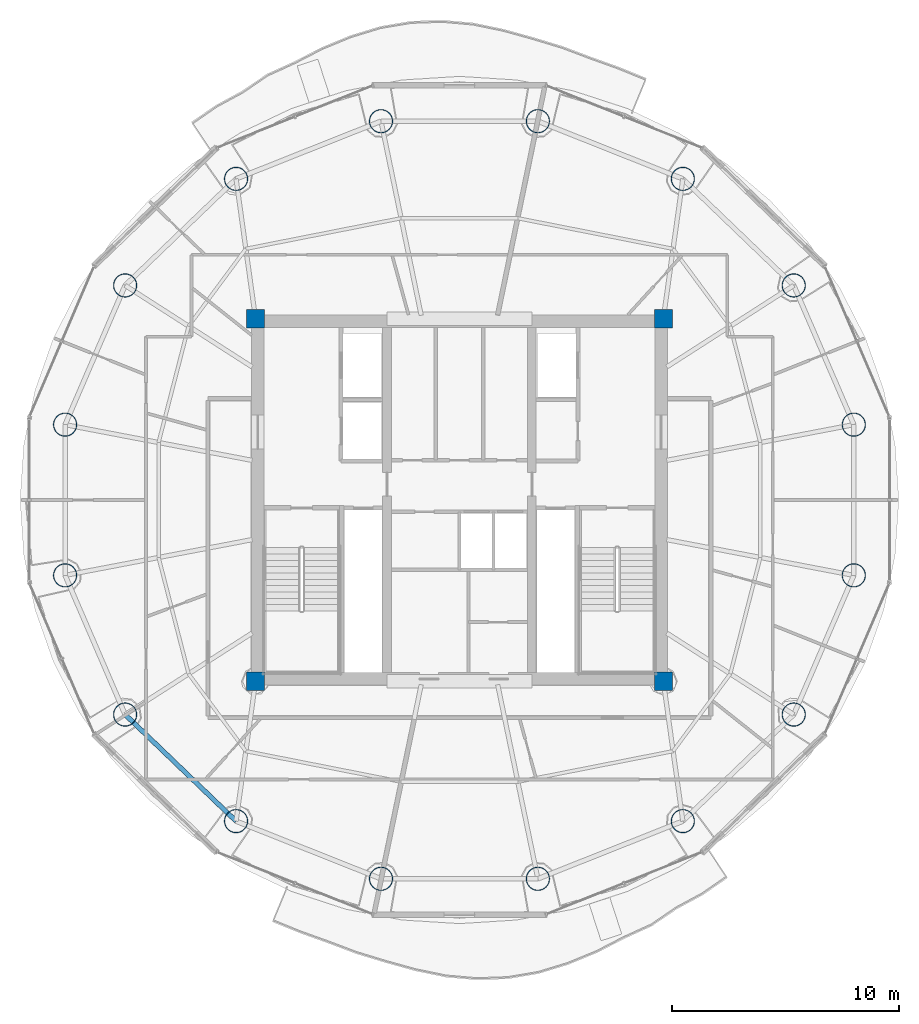
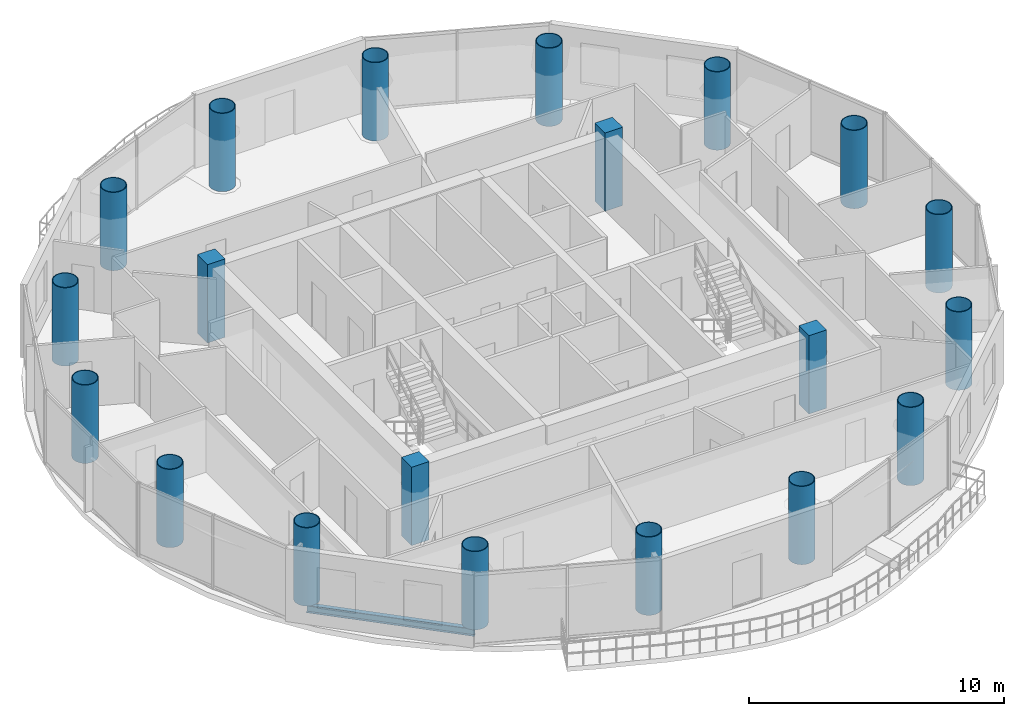
# One storey, part 1 of 21: 20 columns, 1 beam.
"""IFC4 building model written with IfcOpenShell, lengths in metres."""

from ifc_helpers import new_model, si_unit, direction, frame, origin, origin_2d, place, context, subcontext, project, spatial, rectangle, hollow_circle, i_section, extrude, material, material_profile, profile_set, type_object, element, save


model = new_model("IFC4")

# Units and contexts
model_context = context("Model", 3, precision=1e-05, world=origin(), true_north=direction((-0.2419218956, 0.970295726276)))
body_context = subcontext(model_context, "Body", "Model", "MODEL_VIEW")
ifc_project = project(units=[si_unit("LENGTHUNIT", "METRE"), si_unit("AREAUNIT", "SQUARE_METRE"), si_unit("VOLUMEUNIT", "CUBIC_METRE"), si_unit("PLANEANGLEUNIT", "RADIAN"), si_unit("MASSUNIT", "GRAM", prefix="KILO")], contexts=[model_context])

# Site, building, storey
site_placement = place(None, origin())
site = spatial("IfcSite", under=ifc_project, at=site_placement, CompositionType="ELEMENT")
building_placement = place(site_placement, origin())
building = spatial("IfcBuilding", under=site, at=building_placement, Name="Cobrevalo Terracotta Tower", CompositionType="ELEMENT")
storey_placement = place(building_placement, frame((0.0, 0.0, 281.949951171875)))
storey = spatial("IfcBuildingStorey", under=building, at=storey_placement, Name="L74", CompositionType="ELEMENT", Elevation=281.949951171875)

# Columns
ifc_material_1 = material(Name="Steel S355", Category="steel")
ifc_material_profile_1 = material_profile(ifc_material_1, hollow_circle(Radius=0.52490234375, WallThickness=0.034912109375, at=origin_2d()), Name="CHS 1050x35")
ifc_profile_set_1 = profile_set([ifc_material_profile_1], Name="Steel S355")
column_type_1 = type_object("IfcColumnType", Name="Structural Column CHS 1050x35 (Steel S355)", PredefinedType="COLUMN", material=ifc_profile_set_1)
for number, where, z_axis, x_axis, name in (
    (1, (55.408935546875, 30.126220703125, 0.0), (0.0, 0.0, 1.0), (1.0, 0.0, 0.0), "L74 composite megacolumn MC01"),
    (2, (52.758544921875, 36.2724609375, 0.0), (0.0, 0.0, 1.0), (1.0, 0.0, 0.0), "L74 composite megacolumn MC02"),
    (3, (47.861328125, 40.9765625, 0.0), (0.0, 0.0, 1.0), (1.0, 0.0, 0.0), "L74 composite megacolumn MC03"),
    (4, (41.462890625, 43.5224609375, 0.0), (0.0, 0.0, 1.0), (1.0, 0.0, 0.0), "L74 composite megacolumn MC04"),
    (5, (34.537109375, 43.5224609375, 0.0), (0.0, 0.0, 1.0), (1.0, 0.0, 0.0), "L74 composite megacolumn MC05"),
    (6, (28.138671875, 40.9765625, 0.0), (0.0, 0.0, 1.0), (1.0, 0.0, 0.0), "L74 composite megacolumn MC06"),
    (7, (23.241455078125, 36.2724609375, 0.0), (0.0, 0.0, 1.0), (1.0, 0.0, 0.0), "L74 composite megacolumn MC07"),
    (8, (20.591064453125, 30.126220703125, 0.0), (0.0, 0.0, 1.0), (1.0, 0.0, 0.0), "L74 composite megacolumn MC08"),
    (9, (20.591064453125, 23.4736328125, 0.0), (0.0, 0.0, 1.0), (1.0, 0.0, 0.0), "L74 composite megacolumn MC09"),
    (10, (23.241455078125, 17.32763671875, 0.0), (0.0, 0.0, 1.0), (1.0, 0.0, 0.0), "L74 composite megacolumn MC10"),
    (11, (28.138671875, 12.62353515625, 0.0), (0.0, 0.0, 1.0), (1.0, 0.0, 0.0), "L74 composite megacolumn MC11"),
    (12, (34.537109375, 10.07763671875, 0.0), (0.0, 0.0, 1.0), (1.0, 0.0, 0.0), "L74 composite megacolumn MC12"),
    (13, (41.462890625, 10.07763671875, 0.0), (0.0, 0.0, 1.0), (1.0, 0.0, 0.0), "L74 composite megacolumn MC13"),
    (14, (47.861328125, 12.62353515625, 0.0), (0.0, 0.0, 1.0), (1.0, 0.0, 0.0), "L74 composite megacolumn MC14"),
    (15, (52.758544921875, 17.32763671875, 0.0), (0.0, 0.0, 1.0), (1.0, 0.0, 0.0), "L74 composite megacolumn MC15"),
    (16, (55.408935546875, 23.4736328125, 0.0), (0.0, 0.0, 1.0), (1.0, 0.0, 0.0), "L74 composite megacolumn MC16"),
):
    element("IfcColumn", number, at=place(storey_placement, frame(where, z_axis=z_axis, x_axis=x_axis)), inside=storey, type_object=column_type_1, Name=name, PredefinedType="COLUMN", context=body_context, shape_type="SweptSolid", body=[
        extrude(hollow_circle(Radius=0.52490234375, WallThickness=0.034912109375, at=origin_2d()), origin(), (0.0, 0.0, 1.0), 3.75),
    ])
ifc_material_2 = material(Name="Concrete C50", Category="concrete")
ifc_material_profile_2 = material_profile(ifc_material_2, rectangle(XDim=0.800048828125, YDim=0.800048828125, at=origin_2d()), Name="RC COL 800x800")
ifc_profile_set_2 = profile_set([ifc_material_profile_2], Name="Concrete C50")
column_type_2 = type_object("IfcColumnType", Name="Structural Column RC COL 800x800 (Concrete C50)", PredefinedType="COLUMN", material=ifc_profile_set_2)
for number, where, z_axis, x_axis, name in (
    (17, (29.0, 18.800048828125, 0.0), (0.0, 0.0, 1.0), (1.0, 0.0, 0.0), "L74 core corner column CC1"),
    (18, (47.0, 18.800048828125, 0.0), (0.0, 0.0, 1.0), (1.0, 0.0, 0.0), "L74 core corner column CC2"),
    (19, (47.0, 34.800048828125, 0.0), (0.0, 0.0, 1.0), (1.0, 0.0, 0.0), "L74 core corner column CC3"),
    (20, (29.0, 34.800048828125, 0.0), (0.0, 0.0, 1.0), (1.0, 0.0, 0.0), "L74 core corner column CC4"),
):
    element("IfcColumn", number, at=place(storey_placement, frame(where, z_axis=z_axis, x_axis=x_axis)), inside=storey, type_object=column_type_2, Name=name, PredefinedType="COLUMN", context=body_context, shape_type="SweptSolid", body=[
        extrude(rectangle(XDim=0.800048828125, YDim=0.800048828125, at=origin_2d()), origin(), (0.0, 0.0, 1.0), 3.75),
    ])

# Beam
ifc_material_profile_3 = material_profile(ifc_material_1, i_section(OverallWidth=0.205078125, OverallDepth=0.35400390625, WebThickness=0.009521484375, FlangeThickness=0.016845703125, at=origin_2d()), Name="W 360x79")
ifc_profile_set_3 = profile_set([ifc_material_profile_3], Name="Steel S355")
beam_type = type_object("IfcBeamType", Name="Structural Spandrel W 360x79 (Steel S355)", PredefinedType="SPANDREL", material=ifc_profile_set_3)
beam_placement = place(storey_placement, frame((23.241455078125, 17.32763671875, -0.43701171875), z_axis=(0.721183246144, -0.692744343522, 0.0), x_axis=(0.692744343522, 0.721183246144, 0.0)))
element("IfcBeam", 21, at=beam_placement, inside=storey, type_object=beam_type, Name="L74 perimeter ring spandrel 10", PredefinedType="SPANDREL", context=body_context, shape_type="SweptSolid", body=[
    extrude(i_section(OverallWidth=0.205078125, OverallDepth=0.35400390625, WebThickness=0.009521484375, FlangeThickness=0.016845703125, at=origin_2d()), origin(), (0.0, 0.0, 1.0), 6.79052734375),
])

save(model, "model.ifc")
